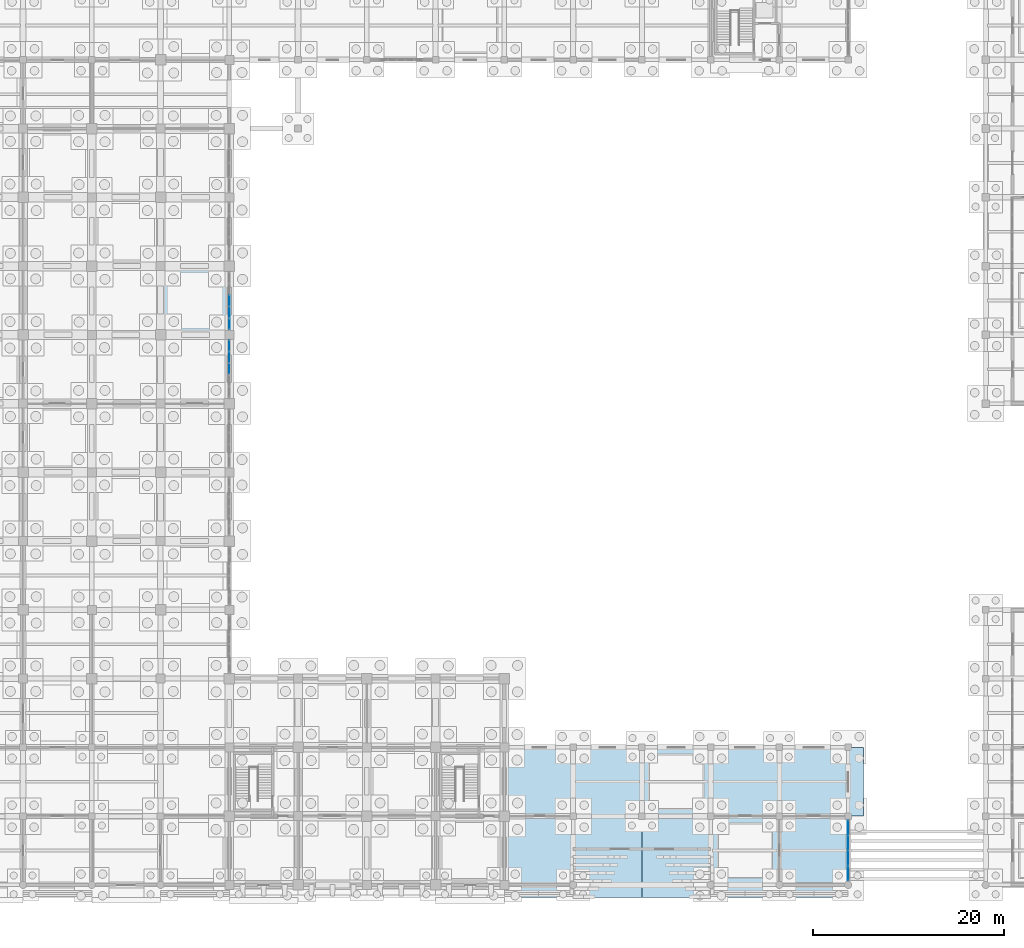
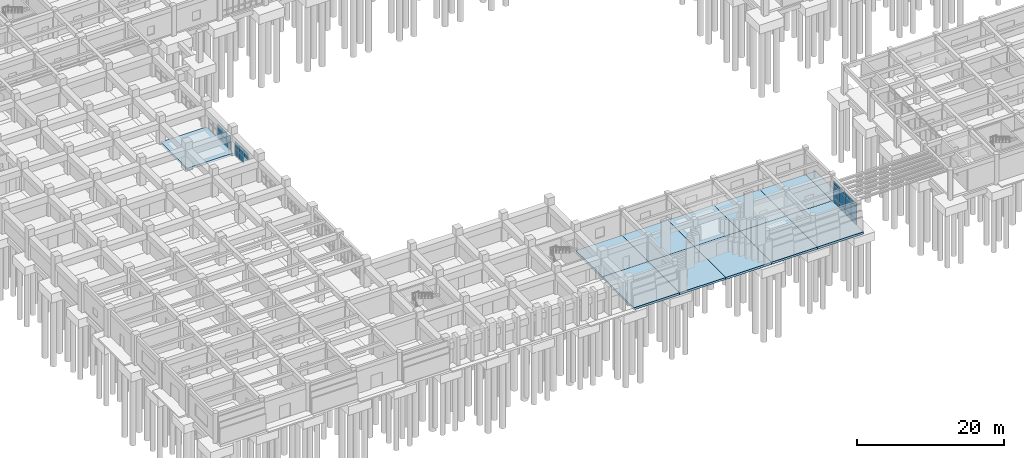
# One storey, part 45 of 79: 23 plates, 12 slabs, 3 elements without a shape of their own.
"""IFC4 building model written with IfcOpenShell, lengths in metres."""

from ifc_helpers import new_model, si_unit, direction, frame, origin, origin_2d, place, context, subcontext, project, spatial, polyline, rectangle, outline, extrude, material, layer, layer_set, type_object, element, aggregate, save


model = new_model("IFC4")

# Units and contexts
model_context = context("Model", 3, precision=1e-05, world=origin(), true_north=direction((0.0, 1.0)))
body_context = subcontext(model_context, "Body", "Model", "MODEL_VIEW")
ifc_project = project(units=[si_unit("LENGTHUNIT", "METRE"), si_unit("AREAUNIT", "SQUARE_METRE"), si_unit("VOLUMEUNIT", "CUBIC_METRE"), si_unit("PLANEANGLEUNIT", "RADIAN"), si_unit("MASSUNIT", "GRAM", prefix="KILO")], contexts=[model_context])

# Site, building, storey
site_placement = place(None, origin())
site = spatial("IfcSite", under=ifc_project, at=site_placement, CompositionType="ELEMENT")
building_placement = place(site_placement, origin())
building = spatial("IfcBuilding", under=site, at=building_placement, Name="Kavelor Marine Aquarium", CompositionType="ELEMENT")
storey_placement = place(building_placement, origin())
storey = spatial("IfcBuildingStorey", under=building, at=storey_placement, Name="L00", CompositionType="ELEMENT", Elevation=0.0)

# Curtain wall, plates
ifc_material_1 = material(Name="Thermally Broken Aluminium and Low-E Glass", Category="aluminium")
ifc_layer_1 = layer(ifc_material_1, 0.18798828125)
ifc_layer_set_1 = layer_set([ifc_layer_1], Name="CW-SYS6")
curtain_wall_type_1 = type_object("IfcCurtainWallType", Name="CW-SYS6", PredefinedType="USERDEFINED", material=ifc_layer_set_1)
curtain_wall_1_placement = place(storey_placement, origin())
curtain_wall_1 = element("IfcCurtainWall", 1, at=curtain_wall_1_placement, inside=storey, type_object=curtain_wall_type_1, Name="cw:y:L00:05_07", ObjectType="Curtain Wall", PredefinedType="USERDEFINED")
ifc_material_2 = material(Name="Solar-Control Double Low-E Glazing", Category="glass")
ifc_layer_2 = layer(ifc_material_2, 0.035888671875)
ifc_layer_set_2 = layer_set([ifc_layer_2], Name="CWP-06")
plate_type_1 = type_object("IfcPlateType", Name="CWP-06", PredefinedType="CURTAIN_PANEL", material=ifc_layer_set_2)
plate_1_placement = place(storey_placement, frame((39.199951171875, 56.83740234375, 1.2724609375), z_axis=(0.0, 0.0, 1.0), x_axis=(0.0, 1.0, 0.0)))
plate_1 = element("IfcPlate", 2, at=plate_1_placement, type_object=plate_type_1, Name="CW06 panel 3.2", PredefinedType="CURTAIN_PANEL", context=body_context, shape_type="SweptSolid", body=[
    extrude(rectangle(XDim=1.156982421875, YDim=0.035888671875, at=origin_2d()), origin(), (0.0, 0.0, 1.0), 1.12255859375),
])
plate_2_placement = place(storey_placement, frame((39.199951171875, 58.054443359375, 0.074951171875), z_axis=(0.0, 0.0, 1.0), x_axis=(0.0, 1.0, 0.0)))
plate_2 = element("IfcPlate", 3, at=plate_2_placement, type_object=plate_type_1, Name="CW06 panel 4.1", PredefinedType="CURTAIN_PANEL", context=body_context, shape_type="SweptSolid", body=[
    extrude(rectangle(XDim=1.156982421875, YDim=0.035888671875, at=origin_2d()), origin(), (0.0, 0.0, 1.0), 1.12255859375),
])
plate_3_placement = place(storey_placement, frame((39.199951171875, 58.054443359375, 1.2724609375), z_axis=(0.0, 0.0, 1.0), x_axis=(0.0, 1.0, 0.0)))
plate_3 = element("IfcPlate", 4, at=plate_3_placement, type_object=plate_type_1, Name="CW06 panel 4.2", PredefinedType="CURTAIN_PANEL", context=body_context, shape_type="SweptSolid", body=[
    extrude(rectangle(XDim=1.156982421875, YDim=0.035888671875, at=origin_2d()), origin(), (0.0, 0.0, 1.0), 1.12255859375),
])
plate_4_placement = place(storey_placement, frame((39.199951171875, 59.256591796875, 0.074951171875), z_axis=(0.0, 0.0, 1.0), x_axis=(0.0, 1.0, 0.0)))
plate_4 = element("IfcPlate", 5, at=plate_4_placement, type_object=plate_type_1, Name="CW06 panel 5.1", PredefinedType="CURTAIN_PANEL", context=body_context, shape_type="SweptSolid", body=[
    extrude(rectangle(XDim=1.126953125, YDim=0.035888671875, at=origin_2d()), origin(), (0.0, 0.0, 1.0), 1.12255859375),
])
plate_5_placement = place(storey_placement, frame((39.199951171875, 59.256591796875, 1.2724609375), z_axis=(0.0, 0.0, 1.0), x_axis=(0.0, 1.0, 0.0)))
plate_5 = element("IfcPlate", 6, at=plate_5_placement, type_object=plate_type_1, Name="CW06 panel 5.2", PredefinedType="CURTAIN_PANEL", context=body_context, shape_type="SweptSolid", body=[
    extrude(rectangle(XDim=1.126953125, YDim=0.035888671875, at=origin_2d()), origin(), (0.0, 0.0, 1.0), 1.12255859375),
])
aggregate(curtain_wall_1, [plate_1, plate_2, plate_3, plate_4, plate_5])

ifc_material_3 = material(Name="Thermally Broken Aluminium and Low-E Glass", Category="aluminium")
ifc_layer_3 = layer(ifc_material_3, 0.196044921875)
ifc_layer_set_3 = layer_set([ifc_layer_3], Name="CW-SYS7")
curtain_wall_type_2 = type_object("IfcCurtainWallType", Name="CW-SYS7", PredefinedType="USERDEFINED", material=ifc_layer_set_3)
curtain_wall_2_placement = place(storey_placement, origin())
curtain_wall_2 = element("IfcCurtainWall", 7, at=curtain_wall_2_placement, inside=storey, type_object=curtain_wall_type_2, Name="cw:y:L00:05_08", ObjectType="Curtain Wall", PredefinedType="USERDEFINED")
ifc_material_4 = material(Name="Solar-Control Double Low-E Glazing", Category="glass")
ifc_layer_4 = layer(ifc_material_4, 0.0380859375)
ifc_layer_set_4 = layer_set([ifc_layer_4], Name="CWP-07")
plate_type_2 = type_object("IfcPlateType", Name="CWP-07", PredefinedType="CURTAIN_PANEL", material=ifc_layer_set_4)
plate_6_placement = place(storey_placement, frame((39.199951171875, 61.54736328125, 0.074951171875), z_axis=(0.0, 0.0, 1.0), x_axis=(0.0, 1.0, 0.0)))
plate_6 = element("IfcPlate", 8, at=plate_6_placement, type_object=plate_type_2, Name="CW07 panel 1.1", PredefinedType="CURTAIN_PANEL", context=body_context, shape_type="SweptSolid", body=[
    extrude(rectangle(XDim=1.1044921875, YDim=0.0380859375, at=origin_2d()), origin(), (0.0, 0.0, 1.0), 1.12255859375),
])
plate_7_placement = place(storey_placement, frame((39.199951171875, 61.54736328125, 1.2724609375), z_axis=(0.0, 0.0, 1.0), x_axis=(0.0, 1.0, 0.0)))
plate_7 = element("IfcPlate", 9, at=plate_7_placement, type_object=plate_type_2, Name="CW07 panel 1.2", PredefinedType="CURTAIN_PANEL", context=body_context, shape_type="SweptSolid", body=[
    extrude(rectangle(XDim=1.1044921875, YDim=0.0380859375, at=origin_2d()), origin(), (0.0, 0.0, 1.0), 1.12255859375),
])
plate_8_placement = place(storey_placement, frame((39.199951171875, 62.74560546875, 0.074951171875), z_axis=(0.0, 0.0, 1.0), x_axis=(0.0, 1.0, 0.0)))
plate_8 = element("IfcPlate", 10, at=plate_8_placement, type_object=plate_type_2, Name="CW07 panel 2.1", PredefinedType="CURTAIN_PANEL", context=body_context, shape_type="SweptSolid", body=[
    extrude(rectangle(XDim=1.14208984375, YDim=0.0380859375, at=origin_2d()), origin(), (0.0, 0.0, 1.0), 1.12255859375),
])
plate_9_placement = place(storey_placement, frame((39.199951171875, 62.74560546875, 1.2724609375), z_axis=(0.0, 0.0, 1.0), x_axis=(0.0, 1.0, 0.0)))
plate_9 = element("IfcPlate", 11, at=plate_9_placement, type_object=plate_type_2, Name="CW07 panel 2.2", PredefinedType="CURTAIN_PANEL", context=body_context, shape_type="SweptSolid", body=[
    extrude(rectangle(XDim=1.14208984375, YDim=0.0380859375, at=origin_2d()), origin(), (0.0, 0.0, 1.0), 1.12255859375),
])
plate_10_placement = place(storey_placement, frame((39.199951171875, 63.96240234375, 0.074951171875), z_axis=(0.0, 0.0, 1.0), x_axis=(0.0, 1.0, 0.0)))
plate_10 = element("IfcPlate", 12, at=plate_10_placement, type_object=plate_type_2, Name="CW07 panel 3.1", PredefinedType="CURTAIN_PANEL", context=body_context, shape_type="SweptSolid", body=[
    extrude(rectangle(XDim=1.14208984375, YDim=0.0380859375, at=origin_2d()), origin(), (0.0, 0.0, 1.0), 1.12255859375),
])
plate_11_placement = place(storey_placement, frame((39.199951171875, 63.96240234375, 1.2724609375), z_axis=(0.0, 0.0, 1.0), x_axis=(0.0, 1.0, 0.0)))
plate_11 = element("IfcPlate", 13, at=plate_11_placement, type_object=plate_type_2, Name="CW07 panel 3.2", PredefinedType="CURTAIN_PANEL", context=body_context, shape_type="SweptSolid", body=[
    extrude(rectangle(XDim=1.14208984375, YDim=0.0380859375, at=origin_2d()), origin(), (0.0, 0.0, 1.0), 1.12255859375),
])
aggregate(curtain_wall_2, [plate_6, plate_7, plate_8, plate_9, plate_10, plate_11])

ifc_material_5 = material(Name="Thermally Broken Aluminium and Low-E Glass", Category="aluminium")
ifc_layer_5 = layer(ifc_material_5, 0.219970703125)
ifc_layer_set_5 = layer_set([ifc_layer_5], Name="CW-SYS10")
curtain_wall_type_3 = type_object("IfcCurtainWallType", Name="CW-SYS10", PredefinedType="USERDEFINED", material=ifc_layer_set_5)
curtain_wall_3_placement = place(storey_placement, origin())
curtain_wall_3 = element("IfcCurtainWall", 14, at=curtain_wall_3_placement, inside=storey, type_object=curtain_wall_type_3, Name="cw:y:L00:14_00", ObjectType="Curtain Wall", PredefinedType="USERDEFINED")
ifc_material_6 = material(Name="Solar-Control Double Low-E Glazing", Category="glass")
ifc_layer_6 = layer(ifc_material_6, 0.0439453125)
ifc_layer_set_6 = layer_set([ifc_layer_6], Name="CWP-10")
plate_type_3 = type_object("IfcPlateType", Name="CWP-10", PredefinedType="CURTAIN_PANEL", material=ifc_layer_set_6)
plate_12_placement = place(storey_placement, frame((104.0, 4.036865234375, 0.06005859375), z_axis=(0.0, 0.0, 1.0), x_axis=(0.0, 1.0, 0.0)))
plate_12 = element("IfcPlate", 15, at=plate_12_placement, type_object=plate_type_3, Name="CW10 panel 1.1", PredefinedType="CURTAIN_PANEL", context=body_context, shape_type="SweptSolid", body=[
    extrude(rectangle(XDim=1.483642578125, YDim=0.0439453125, at=origin_2d()), origin(), (0.0, 0.0, 1.0), 0.81005859375),
])
plate_13_placement = place(storey_placement, frame((104.0, 4.036865234375, 0.929931640625), z_axis=(0.0, 0.0, 1.0), x_axis=(0.0, 1.0, 0.0)))
plate_13 = element("IfcPlate", 16, at=plate_13_placement, type_object=plate_type_3, Name="CW10 panel 1.2", PredefinedType="CURTAIN_PANEL", context=body_context, shape_type="SweptSolid", body=[
    extrude(rectangle(XDim=1.483642578125, YDim=0.0439453125, at=origin_2d()), origin(), (0.0, 0.0, 1.0), 2.06005859375),
])
plate_14_placement = place(storey_placement, frame((104.0, 4.036865234375, 3.050048828125), z_axis=(0.0, 0.0, 1.0), x_axis=(0.0, 1.0, 0.0)))
plate_14 = element("IfcPlate", 17, at=plate_14_placement, type_object=plate_type_3, Name="CW10 panel 1.3", PredefinedType="CURTAIN_PANEL", context=body_context, shape_type="SweptSolid", body=[
    extrude(rectangle(XDim=1.483642578125, YDim=0.0439453125, at=origin_2d()), origin(), (0.0, 0.0, 1.0), 0.56005859375),
])
plate_15_placement = place(storey_placement, frame((104.0, 5.6142578125, 0.06005859375), z_axis=(0.0, 0.0, 1.0), x_axis=(0.0, 1.0, 0.0)))
plate_15 = element("IfcPlate", 18, at=plate_15_placement, type_object=plate_type_3, Name="CW10 panel 2.1", PredefinedType="CURTAIN_PANEL", context=body_context, shape_type="SweptSolid", body=[
    extrude(rectangle(XDim=1.521240234375, YDim=0.0439453125, at=origin_2d()), origin(), (0.0, 0.0, 1.0), 0.81005859375),
])
plate_16_placement = place(storey_placement, frame((104.0, 5.6142578125, 0.929931640625), z_axis=(0.0, 0.0, 1.0), x_axis=(0.0, 1.0, 0.0)))
plate_16 = element("IfcPlate", 19, at=plate_16_placement, type_object=plate_type_3, Name="CW10 panel 2.2", PredefinedType="CURTAIN_PANEL", context=body_context, shape_type="SweptSolid", body=[
    extrude(rectangle(XDim=1.521240234375, YDim=0.0439453125, at=origin_2d()), origin(), (0.0, 0.0, 1.0), 2.06005859375),
])
plate_17_placement = place(storey_placement, frame((104.0, 5.6142578125, 3.050048828125), z_axis=(0.0, 0.0, 1.0), x_axis=(0.0, 1.0, 0.0)))
plate_17 = element("IfcPlate", 20, at=plate_17_placement, type_object=plate_type_3, Name="CW10 panel 2.3", PredefinedType="CURTAIN_PANEL", context=body_context, shape_type="SweptSolid", body=[
    extrude(rectangle(XDim=1.521240234375, YDim=0.0439453125, at=origin_2d()), origin(), (0.0, 0.0, 1.0), 0.56005859375),
])
plate_18_placement = place(storey_placement, frame((104.0, 7.210693359375, 0.06005859375), z_axis=(0.0, 0.0, 1.0), x_axis=(0.0, 1.0, 0.0)))
plate_18 = element("IfcPlate", 21, at=plate_18_placement, type_object=plate_type_3, Name="CW10 panel 3.1", PredefinedType="CURTAIN_PANEL", context=body_context, shape_type="SweptSolid", body=[
    extrude(rectangle(XDim=1.521240234375, YDim=0.0439453125, at=origin_2d()), origin(), (0.0, 0.0, 1.0), 0.81005859375),
])
plate_19_placement = place(storey_placement, frame((104.0, 7.210693359375, 0.929931640625), z_axis=(0.0, 0.0, 1.0), x_axis=(0.0, 1.0, 0.0)))
plate_19 = element("IfcPlate", 22, at=plate_19_placement, type_object=plate_type_3, Name="CW10 panel 3.2", PredefinedType="CURTAIN_PANEL", context=body_context, shape_type="SweptSolid", body=[
    extrude(rectangle(XDim=1.521240234375, YDim=0.0439453125, at=origin_2d()), origin(), (0.0, 0.0, 1.0), 2.06005859375),
])
plate_20_placement = place(storey_placement, frame((104.0, 7.210693359375, 3.050048828125), z_axis=(0.0, 0.0, 1.0), x_axis=(0.0, 1.0, 0.0)))
plate_20 = element("IfcPlate", 23, at=plate_20_placement, type_object=plate_type_3, Name="CW10 panel 3.3", PredefinedType="CURTAIN_PANEL", context=body_context, shape_type="SweptSolid", body=[
    extrude(rectangle(XDim=1.521240234375, YDim=0.0439453125, at=origin_2d()), origin(), (0.0, 0.0, 1.0), 0.56005859375),
])
plate_21_placement = place(storey_placement, frame((104.0, 8.7880859375, 0.06005859375), z_axis=(0.0, 0.0, 1.0), x_axis=(0.0, 1.0, 0.0)))
plate_21 = element("IfcPlate", 24, at=plate_21_placement, type_object=plate_type_3, Name="CW10 panel 4.1", PredefinedType="CURTAIN_PANEL", context=body_context, shape_type="SweptSolid", body=[
    extrude(rectangle(XDim=1.483642578125, YDim=0.0439453125, at=origin_2d()), origin(), (0.0, 0.0, 1.0), 0.81005859375),
])
plate_22_placement = place(storey_placement, frame((104.0, 8.7880859375, 0.929931640625), z_axis=(0.0, 0.0, 1.0), x_axis=(0.0, 1.0, 0.0)))
plate_22 = element("IfcPlate", 25, at=plate_22_placement, type_object=plate_type_3, Name="CW10 panel 4.2", PredefinedType="CURTAIN_PANEL", context=body_context, shape_type="SweptSolid", body=[
    extrude(rectangle(XDim=1.483642578125, YDim=0.0439453125, at=origin_2d()), origin(), (0.0, 0.0, 1.0), 2.06005859375),
])
plate_23_placement = place(storey_placement, frame((104.0, 8.7880859375, 3.050048828125), z_axis=(0.0, 0.0, 1.0), x_axis=(0.0, 1.0, 0.0)))
plate_23 = element("IfcPlate", 26, at=plate_23_placement, type_object=plate_type_3, Name="CW10 panel 4.3", PredefinedType="CURTAIN_PANEL", context=body_context, shape_type="SweptSolid", body=[
    extrude(rectangle(XDim=1.483642578125, YDim=0.0439453125, at=origin_2d()), origin(), (0.0, 0.0, 1.0), 0.56005859375),
])
aggregate(curtain_wall_3, [plate_12, plate_13, plate_14, plate_15, plate_16, plate_17, plate_18, plate_19, plate_20, plate_21, plate_22, plate_23])

# Slabs
ifc_material_7 = material(Name="Textured Coastal Granite Paving", Category="masonry")
ifc_layer_7 = layer(ifc_material_7, 0.199951171875)
ifc_layer_set_7 = layer_set([ifc_layer_7], Name="SL-AP1")
slab_type_1 = type_object("IfcSlabType", Name="SL-AP1", PredefinedType="BASESLAB", material=ifc_layer_set_7)
slab_1_placement = place(storey_placement, frame((0.0, 0.0, -0.199951171875)))
element("IfcSlab", 27, at=slab_1_placement, inside=storey, type_object=slab_type_1, Name="apron:ed:06", PredefinedType="BASESLAB", context=body_context, shape_type="SweptSolid", body=[
    extrude(outline(polyline([(104.0, 10.0), (105.60009765625, 10.0), (105.60009765625, 17.199951171875), (104.0, 17.199951171875), (104.0, 10.0)])), origin(), (0.0, 0.0, 1.0), 0.199951171875),
])
ifc_material_8 = material(Name="Concrete C40/50", Category="concrete")
ifc_layer_8 = layer(ifc_material_8, 0.35009765625)
ifc_layer_set_8 = layer_set([ifc_layer_8], Name="SL-BS2")
slab_type_2 = type_object("IfcSlabType", Name="SL-BS2", PredefinedType="BASESLAB", material=ifc_layer_set_8)
slab_2_placement = place(storey_placement, frame((0.0, 0.0, -0.35009765625)))
element("IfcSlab", 28, at=slab_2_placement, inside=storey, type_object=slab_type_2, Name="slab:L00:04_08", PredefinedType="BASESLAB", context=body_context, shape_type="SweptSolid", body=[
    extrude(outline(polyline([(32.0, 60.39990234375), (39.199951171875, 60.39990234375), (39.199951171875, 67.60009765625), (32.0, 67.60009765625), (32.0, 60.39990234375)])), origin(), (0.0, 0.0, 1.0), 0.35009765625),
])
slab_3_placement = place(storey_placement, frame((0.0, 0.0, -0.35009765625)))
element("IfcSlab", 29, at=slab_3_placement, inside=storey, type_object=slab_type_2, Name="slab:L00:09_00", PredefinedType="BASESLAB", context=body_context, shape_type="SweptSolid", body=[
    extrude(outline(polyline([(68.0, 1.47998046875), (75.199951171875, 1.47998046875), (75.199951171875, 10.0), (68.0, 10.0), (68.0, 1.47998046875)])), origin(), (0.0, 0.0, 1.0), 0.35009765625),
])
slab_4_placement = place(storey_placement, frame((0.0, 0.0, -0.35009765625)))
element("IfcSlab", 30, at=slab_4_placement, inside=storey, type_object=slab_type_2, Name="slab:L00:09_01", PredefinedType="BASESLAB", context=body_context, shape_type="SweptSolid", body=[
    extrude(outline(polyline([(68.0, 10.0), (75.199951171875, 10.0), (75.199951171875, 17.199951171875), (68.0, 17.199951171875), (68.0, 10.0)])), origin(), (0.0, 0.0, 1.0), 0.35009765625),
])
slab_5_placement = place(storey_placement, frame((0.0, 0.0, -0.35009765625)))
element("IfcSlab", 31, at=slab_5_placement, inside=storey, type_object=slab_type_2, Name="slab:L00:10_00", PredefinedType="BASESLAB", context=body_context, shape_type="SweptSolid", body=[
    extrude(outline(polyline([(75.199951171875, 1.47998046875), (82.39990234375, 1.47998046875), (82.39990234375, 10.0), (75.199951171875, 10.0), (75.199951171875, 1.47998046875)])), origin(), (0.0, 0.0, 1.0), 0.35009765625),
])
slab_6_placement = place(storey_placement, frame((0.0, 0.0, -0.35009765625)))
element("IfcSlab", 32, at=slab_6_placement, inside=storey, type_object=slab_type_2, Name="slab:L00:10_01", PredefinedType="BASESLAB", context=body_context, shape_type="SweptSolid", body=[
    extrude(outline(polyline([(75.199951171875, 10.0), (82.39990234375, 10.0), (82.39990234375, 17.199951171875), (75.199951171875, 17.199951171875), (75.199951171875, 10.0)])), origin(), (0.0, 0.0, 1.0), 0.35009765625),
])
slab_7_placement = place(storey_placement, frame((0.0, 0.0, -0.35009765625)))
element("IfcSlab", 33, at=slab_7_placement, inside=storey, type_object=slab_type_2, Name="slab:L00:11_00", PredefinedType="BASESLAB", context=body_context, shape_type="SweptSolid", body=[
    extrude(outline(polyline([(82.39990234375, 1.47998046875), (89.60009765625, 1.47998046875), (89.60009765625, 10.0), (82.39990234375, 10.0), (82.39990234375, 1.47998046875)])), origin(), (0.0, 0.0, 1.0), 0.35009765625),
])
slab_8_placement = place(storey_placement, frame((0.0, 0.0, -0.35009765625)))
element("IfcSlab", 34, at=slab_8_placement, inside=storey, type_object=slab_type_2, Name="slab:L00:11_01", PredefinedType="BASESLAB", context=body_context, shape_type="SweptSolid", body=[
    extrude(outline(polyline([(82.39990234375, 10.0), (89.60009765625, 10.0), (89.60009765625, 17.199951171875), (82.39990234375, 17.199951171875), (82.39990234375, 10.0)])), origin(), (0.0, 0.0, 1.0), 0.35009765625),
])
slab_9_placement = place(storey_placement, frame((0.0, 0.0, -0.35009765625)))
element("IfcSlab", 35, at=slab_9_placement, inside=storey, type_object=slab_type_2, Name="slab:L00:12_00", PredefinedType="BASESLAB", context=body_context, shape_type="SweptSolid", body=[
    extrude(outline(polyline([(89.60009765625, 1.47998046875), (96.800048828125, 1.47998046875), (96.800048828125, 10.0), (89.60009765625, 10.0), (89.60009765625, 1.47998046875)])), origin(), (0.0, 0.0, 1.0), 0.35009765625),
])
slab_10_placement = place(storey_placement, frame((0.0, 0.0, -0.35009765625)))
element("IfcSlab", 36, at=slab_10_placement, inside=storey, type_object=slab_type_2, Name="slab:L00:12_01", PredefinedType="BASESLAB", context=body_context, shape_type="SweptSolid", body=[
    extrude(outline(polyline([(89.60009765625, 10.0), (96.800048828125, 10.0), (96.800048828125, 17.199951171875), (89.60009765625, 17.199951171875), (89.60009765625, 10.0)])), origin(), (0.0, 0.0, 1.0), 0.35009765625),
])
slab_11_placement = place(storey_placement, frame((0.0, 0.0, -0.35009765625)))
element("IfcSlab", 37, at=slab_11_placement, inside=storey, type_object=slab_type_2, Name="slab:L00:13_00", PredefinedType="BASESLAB", context=body_context, shape_type="SweptSolid", body=[
    extrude(outline(polyline([(96.800048828125, 1.47998046875), (104.0, 1.47998046875), (104.0, 10.0), (96.800048828125, 10.0), (96.800048828125, 1.47998046875)])), origin(), (0.0, 0.0, 1.0), 0.35009765625),
])
slab_12_placement = place(storey_placement, frame((0.0, 0.0, -0.35009765625)))
element("IfcSlab", 38, at=slab_12_placement, inside=storey, type_object=slab_type_2, Name="slab:L00:13_01", PredefinedType="BASESLAB", context=body_context, shape_type="SweptSolid", body=[
    extrude(outline(polyline([(96.800048828125, 10.0), (104.0, 10.0), (104.0, 17.199951171875), (96.800048828125, 17.199951171875), (96.800048828125, 10.0)])), origin(), (0.0, 0.0, 1.0), 0.35009765625),
])

save(model, "model.ifc")
